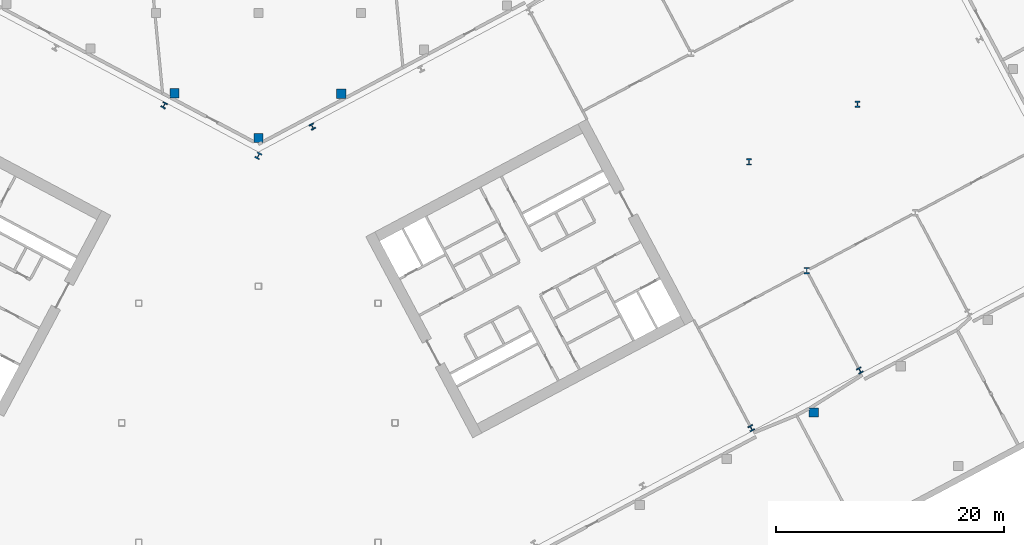
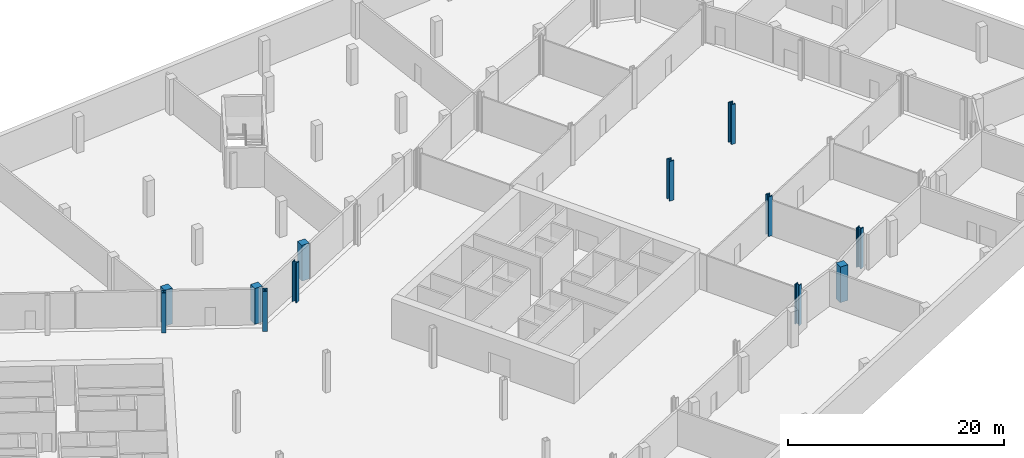
# One storey, part 4 of 27: 12 columns.
"""IFC4 building model written with IfcOpenShell, lengths in metres."""

import ifcopenshell
import ifcopenshell.guid

model = None  # the IFC model being written
_history = None  # IfcOwnerHistory: only IFC2X3 demands one
_inside = {}  # id of a spatial element -> (the spatial element, [elements in it])
_under = {}  # id of a project, library or spatial element -> (it, [spatial elements below it])
_declared = {}  # id of a project -> (the project, [libraries it declares])
_typed = {}  # id of a type object -> (the type object, [elements of that type])
_made_of = {}  # id of a material, layer set ... -> (it, [elements and type objects made of it])


def new_model(schema):
    """Start an empty IFC model of exactly this schema.

    Asked for "IFC4X3", IfcOpenShell would pick the latest addendum, in which some entities
    have other attributes; the version numbers below select the first issue.
    IFC2X3 requires an IfcOwnerHistory on every rooted entity: one is made here for all.
    """
    global model, _history
    if schema == "IFC4X3":
        model = ifcopenshell.file(schema_version=(4, 3, 0, 0))
    else:
        model = ifcopenshell.file(schema=schema)
    _inside.clear()
    _under.clear()
    _declared.clear()
    _typed.clear()
    _made_of.clear()
    _history = None
    if model.schema == "IFC2X3":
        org = make("IfcOrganization", Name="unknown")
        user = make(
            "IfcPersonAndOrganization",
            ThePerson=make("IfcPerson", FamilyName="unknown"),
            TheOrganization=org,
        )
        app = make(
            "IfcApplication",
            ApplicationDeveloper=org,
            Version="unknown",
            ApplicationFullName="unknown",
            ApplicationIdentifier="unknown",
        )
        _history = make(
            "IfcOwnerHistory",
            OwningUser=user,
            OwningApplication=app,
            ChangeAction="ADDED",
            CreationDate=0,
        )
    return model


def make(cls, **values):
    """One entity of the class cls with the attributes given. An attribute that is None is left unset."""
    return model.create_entity(
        cls, **{name: value for name, value in values.items() if value is not None}
    )


def rooted(cls, **values):
    """An entity with a GlobalId (a new one), such as an element, a storey or a relation."""
    return make(cls, GlobalId=ifcopenshell.guid.new(), OwnerHistory=_history, **values)


def si_unit(unit_type, name, prefix=None):
    """IfcSIUnit, for example si_unit("LENGTHUNIT", "METRE", prefix="MILLI")."""
    return make("IfcSIUnit", UnitType=unit_type, Prefix=prefix, Name=name)


def assignment(units):
    """IfcUnitAssignment: the units of a project."""
    return None if units is None else make("IfcUnitAssignment", Units=units)


def point(xyz):
    """IfcCartesianPoint."""
    return None if xyz is None else make("IfcCartesianPoint", Coordinates=xyz)


def direction(xyz):
    """IfcDirection."""
    return None if xyz is None else make("IfcDirection", DirectionRatios=xyz)


def frame(location, z_axis=None, x_axis=None):
    """IfcAxis2Placement3D, a coordinate frame: its origin and axes. An axis left out is left unset."""
    return make(
        "IfcAxis2Placement3D",
        Location=point(location),
        Axis=direction(z_axis),
        RefDirection=direction(x_axis),
    )


def frame_2d(location, x_axis=None):
    """IfcAxis2Placement2D, a coordinate frame in the plane: its origin and x axis."""
    return make(
        "IfcAxis2Placement2D", Location=point(location), RefDirection=direction(x_axis)
    )


def origin():
    """The frame at (0, 0, 0) with its axes left unset."""
    return frame((0.0, 0.0, 0.0))


def origin_2d():
    """The frame at (0, 0) in the plane with its x axis left unset."""
    return frame_2d((0.0, 0.0))


def place(relative_to, where):
    """IfcLocalPlacement: puts the frame where relative to a parent placement (None: the world)."""
    return make(
        "IfcLocalPlacement", PlacementRelTo=relative_to, RelativePlacement=where
    )


def context(
    kind, dimensions, precision=None, world=None, true_north=None, identifier=None
):
    """IfcGeometricRepresentationContext, for example the 3D "Model" context."""
    return make(
        "IfcGeometricRepresentationContext",
        ContextIdentifier=identifier,
        ContextType=kind,
        CoordinateSpaceDimension=dimensions,
        Precision=precision,
        WorldCoordinateSystem=world,
        TrueNorth=true_north,
    )


def subcontext(parent, identifier, kind, view, scale=None):
    """IfcGeometricRepresentationSubContext, for example "Body" below "Model"."""
    return make(
        "IfcGeometricRepresentationSubContext",
        ContextIdentifier=identifier,
        ContextType=kind,
        ParentContext=parent,
        TargetScale=scale,
        TargetView=view,
    )


def project(units=None, contexts=None):
    """IfcProject with its units and contexts."""
    return rooted(
        "IfcProject",
        Name="project",
        RepresentationContexts=contexts,
        UnitsInContext=assignment(units),
    )


def spatial(cls, under=None, at=None, **own):
    """A site, building, storey or space (cls), placed at a placement, below another one or the project."""
    s = rooted(cls, ObjectPlacement=at, **own)
    if under is not None:
        _under.setdefault(under.id(), (under, []))[1].append(s)
    return s


def profile(cls, at=None, kind="AREA", **sizes):
    """A parametric profile (cls). Its sizes go by their IFC names, for example OverallWidth=200.0."""
    return make(cls, ProfileType=kind, Position=at, **sizes)


def rectangle(**sizes):
    """IfcRectangleProfileDef."""
    return profile("IfcRectangleProfileDef", **sizes)


def i_section(**sizes):
    """IfcIShapeProfileDef."""
    return profile("IfcIShapeProfileDef", **sizes)


def extrude(swept, where, along, depth):
    """IfcExtrudedAreaSolid: the profile swept, set in the frame where, extruded along a direction by depth."""
    return make(
        "IfcExtrudedAreaSolid",
        SweptArea=swept,
        Position=where,
        ExtrudedDirection=direction(along),
        Depth=depth,
    )


def shape(context_of_items, identifier, shape_type, items):
    """IfcShapeRepresentation: the items that make up one representation, for example the "Body"."""
    return make(
        "IfcShapeRepresentation",
        ContextOfItems=context_of_items,
        RepresentationIdentifier=identifier,
        RepresentationType=shape_type,
        Items=items,
    )


def material(Name=None, Category=None):
    """IfcMaterial."""
    return make("IfcMaterial", Name=Name, Category=Category)


def material_profile(
    of_material, cross_section, Name=None, Category=None, Priority=None
):
    """IfcMaterialProfile: a cross section and its material."""
    return make(
        "IfcMaterialProfile",
        Name=Name,
        Material=of_material,
        Profile=cross_section,
        Priority=Priority,
        Category=Category,
    )


def profile_set(profiles, Name=None, composite=None):
    """IfcMaterialProfileSet."""
    return make(
        "IfcMaterialProfileSet",
        Name=Name,
        MaterialProfiles=profiles,
        CompositeProfile=composite,
    )


def made_of(thing, what):
    """Note that an element or type object is made of a material, layer set ...; save() writes the relation."""
    if what is not None:
        _made_of.setdefault(what.id(), (what, []))[1].append(thing)
    return thing


def type_object(cls, material=None, **own):
    """A type object (cls), such as IfcWallType, which elements share."""
    return made_of(rooted(cls, **own), material)


def element(
    cls,
    number,
    at=None,
    inside=None,
    cuts=None,
    type_object=None,
    material=None,
    context=None,
    identifier="Body",
    shape_type=None,
    held_by="IfcProductDefinitionShape",
    body=None,
    shapes=None,
    **own,
):
    """One element of the class cls, such as IfcWall. Its Tag is "e" and its number.

    at: its placement. inside: the storey or other place that contains it. cuts: it is an
    opening in that element (IfcRelVoidsElement). A single representation is given by context,
    identifier, shape_type and body (its items); several are given by shapes. held_by: the class
    of the entity that holds the representations. save() writes the other relations.
    """
    e = rooted(cls, Tag="e%d" % number, ObjectPlacement=at, **own)
    if body is not None:
        shapes = [shape(context, identifier, shape_type, body)]
    if shapes is not None:
        e.Representation = make(held_by, Representations=shapes)
    if inside is not None:
        _inside.setdefault(inside.id(), (inside, []))[1].append(e)
    if cuts is not None:
        rooted(
            "IfcRelVoidsElement", RelatingBuildingElement=cuts, RelatedOpeningElement=e
        )
    if type_object is not None:
        _typed.setdefault(type_object.id(), (type_object, []))[1].append(e)
    return made_of(e, material)


def aggregate(whole, parts):
    """IfcRelAggregates: a whole, such as a stair, and the parts it consists of."""
    return rooted("IfcRelAggregates", RelatingObject=whole, RelatedObjects=parts)


def save(model, path):
    """Write the relations noted so far, then the file.

    IfcRelAggregates (storeys below a building ...), IfcRelContainedInSpatialStructure (elements
    in a storey), IfcRelDefinesByType, IfcRelAssociatesMaterial and IfcRelDeclares: one each for
    every whole, place, type object, material and project.
    """
    for whole, parts in _under.values():
        aggregate(whole, parts)
    for where, things in _inside.values():
        rooted(
            "IfcRelContainedInSpatialStructure",
            RelatedElements=things,
            RelatingStructure=where,
        )
    for kind, things in _typed.values():
        rooted("IfcRelDefinesByType", RelatedObjects=things, RelatingType=kind)
    for what, things in _made_of.values():
        rooted("IfcRelAssociatesMaterial", RelatedObjects=things, RelatingMaterial=what)
    for by, libraries in _declared.values():
        rooted("IfcRelDeclares", RelatingContext=by, RelatedDefinitions=libraries)
    model.write(path)


model = new_model("IFC4")

# Units and contexts
model_context = context("Model", 3, precision=1e-05, world=origin(), true_north=direction((0.0, 1.0)))
body_context = subcontext(model_context, "Body", "Model", "MODEL_VIEW")
ifc_project = project(units=[si_unit("LENGTHUNIT", "METRE"), si_unit("AREAUNIT", "SQUARE_METRE"), si_unit("VOLUMEUNIT", "CUBIC_METRE"), si_unit("PLANEANGLEUNIT", "RADIAN"), si_unit("MASSUNIT", "GRAM", prefix="KILO")], contexts=[model_context])

# Site, building, storey
site_placement = place(None, origin())
site = spatial("IfcSite", under=ifc_project, at=site_placement, CompositionType="ELEMENT")
building_placement = place(site_placement, origin())
building = spatial("IfcBuilding", under=site, at=building_placement, Name="Cormorant Relay Tower", CompositionType="ELEMENT")
storey_placement = place(building_placement, frame((0.0, 0.0, -4.5)))
storey = spatial("IfcBuildingStorey", under=building, at=storey_placement, Name="B1", CompositionType="ELEMENT", Elevation=-4.5)

# Columns
ifc_material_1 = material(Name="Concrete 50 MPa", Category="concrete")
ifc_material_profile_1 = material_profile(ifc_material_1, rectangle(XDim=0.800048828125, YDim=0.800048828125, at=origin_2d()), Name="RC 800x800")
ifc_profile_set_1 = profile_set([ifc_material_profile_1], Name="Concrete 50 MPa")
column_type_1 = type_object("IfcColumnType", Name="Base column 800 x 800", PredefinedType="COLUMN", material=ifc_profile_set_1)
for number, where, z_axis, x_axis, name in (
    (1, (48.77490234375, 0.904052734375, 0.0), (0.0, 0.0, 1.0), (1.0, 0.0, 0.0), "Base column"),
    (2, (0.0, 25.030029296875, 0.0), (0.0, 0.0, 1.0), (1.0, 0.0, 0.0), "Base column"),
    (3, (7.279052734375, 28.89990234375, 0.0), (0.0, 0.0, 1.0), (1.0, 0.0, 0.0), "Base column"),
    (4, (-7.37109375, 28.948974609375, 0.0), (0.0, 0.0, 1.0), (1.0, 0.0, 0.0), "Base column"),
):
    element("IfcColumn", number, at=place(storey_placement, frame(where, z_axis=z_axis, x_axis=x_axis)), inside=storey, type_object=column_type_1, Name=name, PredefinedType="COLUMN", context=body_context, shape_type="SweptSolid", body=[
        extrude(rectangle(XDim=0.800048828125, YDim=0.800048828125, at=origin_2d()), origin(), (0.0, 0.0, 1.0), 4.050048828125),
    ])
ifc_material_2 = material(Name="Steel ASTM A992 (Fy 345 MPa)", Category="steel")
ifc_material_profile_2 = material_profile(ifc_material_2, i_section(OverallWidth=0.45458984375, OverallDepth=0.569091796875, WebThickness=0.077880859375, FlangeThickness=0.124755859375, FilletRadius=0.015380859375, at=origin_2d()), Name="W360x1086")
ifc_profile_set_2 = profile_set([ifc_material_profile_2], Name="Steel ASTM A992 (Fy 345 MPa)")
column_type_2 = type_object("IfcColumnType", Name="Column W360x1086", PredefinedType="COLUMN", material=ifc_profile_set_2)
for number, where, z_axis, x_axis, name in (
    (5, (48.157958984375, 13.3740234375, 0.0), (0.0, 0.0, 1.0), (1.0, 0.0, 0.0), "Column B1-025"),
    (6, (43.087890625, 22.909912109375, 0.0), (0.0, 0.0, 1.0), (1.0, 0.0, 0.0), "Column B1-031"),
    (7, (0.0, 23.4541015625, 0.0), (0.0, 0.0, 1.0), (-0.882947592859, 0.469471562786, 0.0), "Column B1-032"),
    (8, (52.6240234375, 27.98095703125, 0.0), (0.0, 0.0, 1.0), (1.0, 0.0, 0.0), "Column B1-037"),
):
    element("IfcColumn", number, at=place(storey_placement, frame(where, z_axis=z_axis, x_axis=x_axis)), inside=storey, type_object=column_type_2, Name=name, PredefinedType="COLUMN", context=body_context, shape_type="SweptSolid", body=[
        extrude(i_section(OverallWidth=0.45458984375, OverallDepth=0.569091796875, WebThickness=0.077880859375, FlangeThickness=0.124755859375, FilletRadius=0.015380859375, at=origin_2d()), origin(), (0.0, 0.0, 1.0), 4.5),
    ])
ifc_material_3 = material(Name="Steel ASTM A992 (Fy 345 MPa)", Category="steel")
ifc_material_profile_3 = material_profile(ifc_material_3, i_section(OverallWidth=0.43701171875, OverallDepth=0.51318359375, WebThickness=0.060546875, FlangeThickness=0.096923828125, FilletRadius=0.015380859375, at=origin_2d()), Name="W360x818")
ifc_profile_set_3 = profile_set([ifc_material_profile_3], Name="Steel ASTM A992 (Fy 345 MPa)")
column_type_3 = type_object("IfcColumnType", Name="Column W360x818", PredefinedType="COLUMN", material=ifc_profile_set_3)
for number, where, z_axis, x_axis, name in (
    (9, (43.2890625, -0.471923828125, 0.0), (0.0, 0.0, 1.0), (0.882947592859, 0.469471562786, 0.0), "Column B1-014"),
    (10, (52.824951171875, 4.597900390625, 0.0), (0.0, 0.0, 1.0), (0.882947592859, 0.469471562786, 0.0), "Column B1-019"),
    (11, (4.743896484375, 26.011962890625, 0.0), (0.0, 0.0, 1.0), (-0.882947592859, -0.469471562786, 0.0), "Column B1-035"),
    (12, (-8.27490234375, 27.889892578125, 0.0), (0.0, 0.0, 1.0), (-0.882947592859, 0.469471562786, 0.0), "Column B1-036"),
):
    element("IfcColumn", number, at=place(storey_placement, frame(where, z_axis=z_axis, x_axis=x_axis)), inside=storey, type_object=column_type_3, Name=name, PredefinedType="COLUMN", context=body_context, shape_type="SweptSolid", body=[
        extrude(i_section(OverallWidth=0.43701171875, OverallDepth=0.51318359375, WebThickness=0.060546875, FlangeThickness=0.096923828125, FilletRadius=0.015380859375, at=origin_2d()), origin(), (0.0, 0.0, 1.0), 4.5),
    ])

save(model, "model.ifc")
